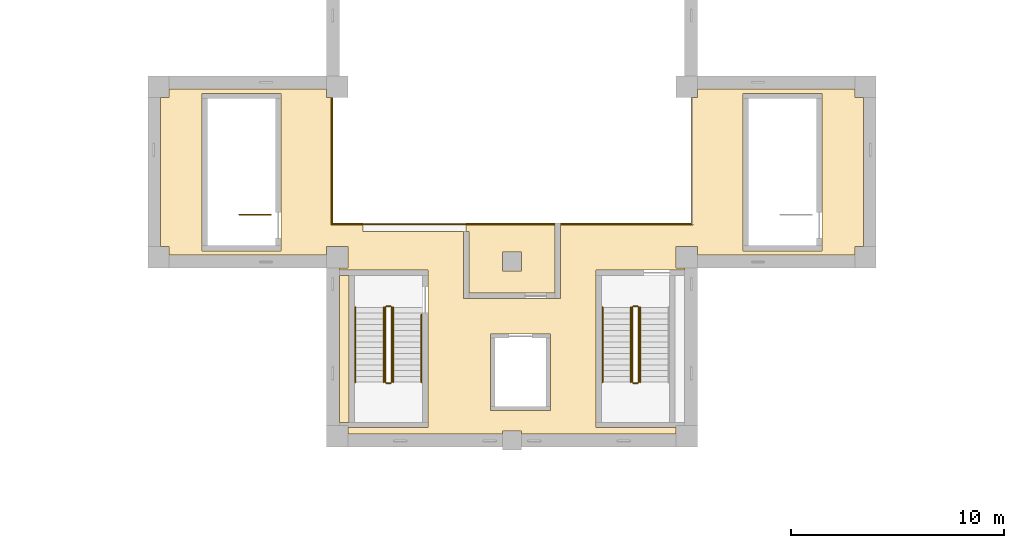
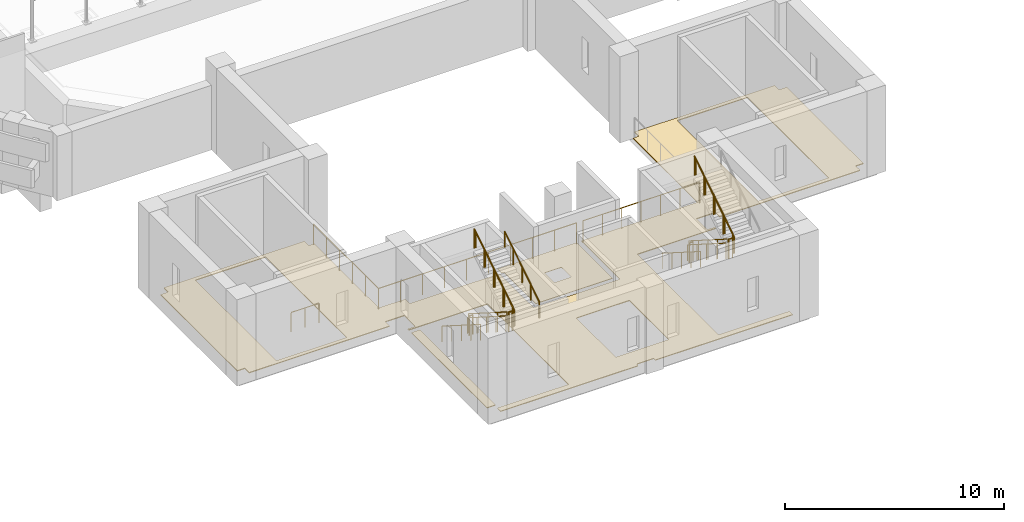
# One storey, part 42 of 47: 18 railings, 3 coverings.
"""IFC4 building model written with IfcOpenShell, lengths in metres."""

from ifc_helpers import new_model, si_unit, direction, frame, origin, origin_2d, place, context, subcontext, project, spatial, polyline, circle, outline, extrude, material, layer, layer_set, type_object, element, save


model = new_model("IFC4")

# Units and contexts
model_context = context("Model", 3, precision=1e-05, world=origin(), true_north=direction((0.0, 1.0)))
body_context = subcontext(model_context, "Body", "Model", "MODEL_VIEW")
ifc_project = project(units=[si_unit("LENGTHUNIT", "METRE"), si_unit("AREAUNIT", "SQUARE_METRE"), si_unit("VOLUMEUNIT", "CUBIC_METRE"), si_unit("PLANEANGLEUNIT", "RADIAN"), si_unit("MASSUNIT", "GRAM", prefix="KILO")], contexts=[model_context])

# Site, building, storey
site_placement = place(None, origin())
site = spatial("IfcSite", under=ifc_project, at=site_placement, CompositionType="ELEMENT")
building_placement = place(site_placement, origin())
building = spatial("IfcBuilding", under=site, at=building_placement, Name="Larchfold Concert Hall", CompositionType="ELEMENT")
storey_placement = place(building_placement, frame((0.0, 0.0, 24.0)))
storey = spatial("IfcBuildingStorey", under=building, at=storey_placement, Name="L05", CompositionType="ELEMENT", Elevation=24.0)

# Coverings
ifc_material_1 = material(Name="Polished terrazzo")
ifc_layer_1 = layer(ifc_material_1, 0.0400390625)
ifc_layer_set_1 = layer_set([ifc_layer_1], Name="Polished terrazzo")
covering_type_1 = type_object("IfcCoveringType", Name="Floor finish terrazzo 40", PredefinedType="FLOORING", material=ifc_layer_set_1)
covering_1_placement = place(storey_placement, origin())
element("IfcCovering", 1, at=covering_1_placement, inside=storey, type_object=covering_type_1, Name="Floor finish Fly Gallery Walkway 01", PredefinedType="FLOORING", context=body_context, shape_type="SweptSolid", body=[
    extrude(outline(polyline([(51.0, 44.39990234375), (44.875, 44.39990234375), (44.875, 40.875), (40.324951171875, 40.875), (40.324951171875, 43.9990234375), (35.60009765625, 43.99951171875), (35.60009765625, 44.39990234375), (34.199951171875, 44.39990234375), (34.199951171875, 50.300048828125), (33.89990234375, 50.300048828125), (33.89990234375, 50.699951171875), (26.5, 50.699951171875), (26.5, 50.300048828125), (26.10009765625, 50.300048828125), (26.10009765625, 43.300048828125), (26.5, 43.300048828125), (26.5, 42.900146484375), (33.89990234375, 42.900146484375), (33.89990234375, 43.300048828125), (34.89990234375, 43.300048828125), (34.89990234375, 42.300048828125), (34.5, 42.300048828125), (34.5, 42.199951171875), (38.64990234375, 42.199951171875), (38.64990234375, 34.800048828125), (34.89990234375, 34.800048828125), (34.89990234375, 34.5), (42.150146484375, 34.5), (42.150146484375, 34.64990234375), (43.050048828125, 34.64990234375), (43.050048828125, 34.5), (50.300048828125, 34.5), (50.300048828125, 34.800048828125), (46.550048828125, 34.800048828125), (46.550048828125, 42.199951171875), (50.699951171875, 42.199951171875), (50.699951171875, 42.300048828125), (50.300048828125, 42.300048828125), (50.300048828125, 43.300048828125), (51.300048828125, 43.300048828125), (51.300048828125, 42.900146484375), (58.699951171875, 42.900146484375), (58.699951171875, 43.300048828125), (59.099853515625, 43.300048828125), (59.099853515625, 50.300048828125), (58.699951171875, 50.300048828125), (58.699951171875, 50.699951171875), (51.300048828125, 50.699951171875), (51.300048828125, 50.300048828125), (51.0, 50.300048828125), (51.0, 44.39990234375)]), holes=[polyline([(53.449951171875, 43.10009765625), (53.449951171875, 50.5), (57.14990234375, 50.5), (57.14990234375, 43.10009765625), (53.449951171875, 43.10009765625)]), polyline([(44.39990234375, 35.60009765625), (41.60009765625, 35.60009765625), (41.60009765625, 39.199951171875), (44.39990234375, 39.199951171875), (44.39990234375, 35.60009765625)]), polyline([(31.75, 50.5), (31.75, 43.10009765625), (28.050048828125, 43.10009765625), (28.050048828125, 50.5), (31.75, 50.5)])]), origin(), (0.0, 0.0, 1.0), 0.0400390625),
])
covering_2_placement = place(storey_placement, origin())
element("IfcCovering", 2, at=covering_2_placement, inside=storey, type_object=covering_type_1, Name="Floor finish Fly Gallery Walkway 01", PredefinedType="FLOORING", context=body_context, shape_type="SweptSolid", body=[
    extrude(outline(polyline([(34.5, 35.050048828125), (34.949951171875, 35.050048828125), (34.949951171875, 41.949951171875), (34.5, 41.949951171875), (34.5, 35.050048828125)])), origin(), (0.0, 0.0, 1.0), 0.0400390625),
])
ifc_material_2 = material(Name="Oak boards on battens")
ifc_layer_2 = layer(ifc_material_2, 0.02490234375)
ifc_layer_set_2 = layer_set([ifc_layer_2], Name="Oak boards on battens")
covering_type_2 = type_object("IfcCoveringType", Name="Floor finish timber boards 25", PredefinedType="FLOORING", material=ifc_layer_set_2)
covering_3_placement = place(storey_placement, origin())
element("IfcCovering", 3, at=covering_3_placement, inside=storey, type_object=covering_type_2, Name="Floor finish Stage Technicians Room", PredefinedType="FLOORING", context=body_context, shape_type="SweptSolid", body=[
    extrude(outline(polyline([(40.449462890625, 44.39990234375), (40.449462890625, 44.01904296875), (40.574951171875, 44.01904296875), (40.574951171875, 41.125), (44.625, 41.125), (44.625, 44.39990234375), (40.449462890625, 44.39990234375)]), holes=[polyline([(42.150146484375, 42.150146484375), (42.150146484375, 43.050048828125), (43.050048828125, 43.050048828125), (43.050048828125, 42.150146484375), (42.150146484375, 42.150146484375)])]), origin(), (0.0, 0.0, 1.0), 0.02490234375),
])

# Railings
ifc_material_3 = material(Name="Stainless steel balustrade", Category="steel")
railing_type_1 = type_object("IfcRailingType", Name="Fly tower guard 1200", PredefinedType="GUARDRAIL", material=ifc_material_3)
railing_1_placement = place(storey_placement, frame((34.139892578125, 50.260009765625, 0.0)))
element("IfcRailing", 4, at=railing_1_placement, inside=storey, type_object=railing_type_1, Name="Guard GR0025", PredefinedType="GUARDRAIL", context=body_context, shape_type="SweptSolid", body=[
    extrude(circle(Radius=0.02392578125, at=origin_2d()), frame((0.0, 0.0, 1.17578125), z_axis=(0.0, -1.0, 0.0), x_axis=(1.0, 0.0, 0.0)), (0.0, 0.0, 1.0), 5.920166015625),
    extrude(circle(Radius=0.02392578125, at=origin_2d()), frame((0.0, -5.920166015625, 1.17578125), z_axis=(1.0, 0.0, 0.0), x_axis=(0.0, 1.0, 0.0)), (0.0, 0.0, 1.0), 10.445068359375),
    extrude(circle(Radius=0.02099609375, at=origin_2d()), origin(), (0.0, 0.0, 1.0), 1.15185546875),
    extrude(circle(Radius=0.02099609375, at=origin_2d()), frame((0.0, -1.18408203125, 0.0)), (0.0, 0.0, 1.0), 1.15185546875),
    extrude(circle(Radius=0.02099609375, at=origin_2d()), frame((0.0, -2.3681640625, 0.0)), (0.0, 0.0, 1.0), 1.15185546875),
    extrude(circle(Radius=0.02099609375, at=origin_2d()), frame((0.0, -3.552001953125, 0.0)), (0.0, 0.0, 1.0), 1.15185546875),
    extrude(circle(Radius=0.02099609375, at=origin_2d()), frame((0.0, -4.736083984375, 0.0)), (0.0, 0.0, 1.0), 1.15185546875),
    extrude(circle(Radius=0.02099609375, at=origin_2d()), frame((0.0, -5.920166015625, 0.0)), (0.0, 0.0, 1.0), 1.15185546875),
    extrude(circle(Radius=0.02099609375, at=origin_2d()), frame((1.16064453125, -5.920166015625, 0.0)), (0.0, 0.0, 1.0), 1.15185546875),
    extrude(circle(Radius=0.02099609375, at=origin_2d()), frame((2.321044921875, -5.920166015625, 0.0)), (0.0, 0.0, 1.0), 1.15185546875),
    extrude(circle(Radius=0.02099609375, at=origin_2d()), frame((3.481689453125, -5.920166015625, 0.0)), (0.0, 0.0, 1.0), 1.15185546875),
    extrude(circle(Radius=0.02099609375, at=origin_2d()), frame((4.642333984375, -5.920166015625, 0.0)), (0.0, 0.0, 1.0), 1.15185546875),
    extrude(circle(Radius=0.02099609375, at=origin_2d()), frame((5.802734375, -5.920166015625, 0.0)), (0.0, 0.0, 1.0), 1.15185546875),
    extrude(circle(Radius=0.02099609375, at=origin_2d()), frame((6.96337890625, -5.920166015625, 0.0)), (0.0, 0.0, 1.0), 1.15185546875),
    extrude(circle(Radius=0.02099609375, at=origin_2d()), frame((8.1240234375, -5.920166015625, 0.0)), (0.0, 0.0, 1.0), 1.15185546875),
    extrude(circle(Radius=0.02099609375, at=origin_2d()), frame((9.284423828125, -5.920166015625, 0.0)), (0.0, 0.0, 1.0), 1.15185546875),
    extrude(circle(Radius=0.02099609375, at=origin_2d()), frame((10.445068359375, -5.920166015625, 0.0)), (0.0, 0.0, 1.0), 1.15185546875),
])
railing_2_placement = place(storey_placement, frame((44.9150390625, 44.33984375, 0.0)))
element("IfcRailing", 5, at=railing_2_placement, inside=storey, type_object=railing_type_1, Name="Guard GR0026", PredefinedType="GUARDRAIL", context=body_context, shape_type="SweptSolid", body=[
    extrude(circle(Radius=0.02392578125, at=origin_2d()), frame((0.0, 0.0, 1.17578125), z_axis=(1.0, 0.0, 0.0), x_axis=(0.0, 1.0, 0.0)), (0.0, 0.0, 1.0), 6.14501953125),
    extrude(circle(Radius=0.02099609375, at=origin_2d()), origin(), (0.0, 0.0, 1.0), 1.15185546875),
    extrude(circle(Radius=0.02099609375, at=origin_2d()), frame((1.024169921875, 0.0, 0.0)), (0.0, 0.0, 1.0), 1.15185546875),
    extrude(circle(Radius=0.02099609375, at=origin_2d()), frame((2.04833984375, 0.0, 0.0)), (0.0, 0.0, 1.0), 1.15185546875),
    extrude(circle(Radius=0.02099609375, at=origin_2d()), frame((3.072509765625, 0.0, 0.0)), (0.0, 0.0, 1.0), 1.15185546875),
    extrude(circle(Radius=0.02099609375, at=origin_2d()), frame((4.0966796875, 0.0, 0.0)), (0.0, 0.0, 1.0), 1.15185546875),
    extrude(circle(Radius=0.02099609375, at=origin_2d()), frame((5.120849609375, 0.0, 0.0)), (0.0, 0.0, 1.0), 1.15185546875),
    extrude(circle(Radius=0.02099609375, at=origin_2d()), frame((6.14501953125, 0.0, 0.0)), (0.0, 0.0, 1.0), 1.15185546875),
])
ifc_material_4 = material(Name="Stainless steel balustrade", Category="steel")
railing_type_2 = type_object("IfcRailingType", Name="Stair guard 1100", PredefinedType="GUARDRAIL", material=ifc_material_4)
railing_3_placement = place(storey_placement, frame((31.27490234375, 44.800048828125, 0.0)))
element("IfcRailing", 6, at=railing_3_placement, inside=storey, type_object=railing_type_2, Name="Guard GR0011", PredefinedType="GUARDRAIL", context=body_context, shape_type="SweptSolid", body=[
    extrude(circle(Radius=0.02392578125, at=origin_2d()), frame((0.0, 0.0, 1.076171875), z_axis=(-1.0, 0.0, 0.0), x_axis=(0.0, -1.0, 0.0)), (0.0, 0.0, 1.0), 1.474853515625),
    extrude(circle(Radius=0.02099609375, at=origin_2d()), origin(), (0.0, 0.0, 1.0), 1.052001953125),
    extrude(circle(Radius=0.02099609375, at=origin_2d()), frame((-0.7373046875, 0.0, 0.0)), (0.0, 0.0, 1.0), 1.052001953125),
    extrude(circle(Radius=0.02099609375, at=origin_2d()), frame((-1.474853515625, 0.0, 0.0)), (0.0, 0.0, 1.0), 1.052001953125),
])
railing_4_placement = place(storey_placement, frame((36.64990234375, 40.449951171875, 0.17138671875)))
element("IfcRailing", 7, at=railing_4_placement, inside=storey, type_object=railing_type_2, Name="Guard GR0013", PredefinedType="GUARDRAIL", context=body_context, shape_type="SweptSolid", body=[
    extrude(circle(Radius=0.02392578125, at=origin_2d()), frame((0.0, 0.0, 1.076171875), z_axis=(0.0, -0.844219563411, 0.53599750816), x_axis=(1.0, 0.0, 0.0)), (0.0, 0.0, 1.0), 4.15771484375),
    extrude(circle(Radius=0.02099609375, at=origin_2d()), origin(), (0.0, 0.0, 1.0), 1.052001953125),
    extrude(circle(Radius=0.02099609375, at=origin_2d()), frame((0.0, -0.87744140625, 0.55712890625)), (0.0, 0.0, 1.0), 1.052001953125),
    extrude(circle(Radius=0.02099609375, at=origin_2d()), frame((0.0, -1.7548828125, 1.1142578125)), (0.0, 0.0, 1.0), 1.052001953125),
    extrude(circle(Radius=0.02099609375, at=origin_2d()), frame((0.0, -2.632568359375, 1.67138671875)), (0.0, 0.0, 1.0), 1.052001953125),
    extrude(circle(Radius=0.02099609375, at=origin_2d()), frame((0.0, -3.510009765625, 2.228515625)), (0.0, 0.0, 1.0), 1.052001953125),
])
railing_5_placement = place(storey_placement, frame((36.699951171875, 36.889892578125, 2.39990234375)))
element("IfcRailing", 8, at=railing_5_placement, inside=storey, type_object=railing_type_2, Name="Guard GR0014", PredefinedType="GUARDRAIL", context=body_context, shape_type="SweptSolid", body=[
    extrude(circle(Radius=0.02392578125, at=origin_2d()), frame((0.0, 0.0, 1.076171875), z_axis=(1.0, 0.0, 0.0), x_axis=(0.0, 1.0, 0.0)), (0.0, 0.0, 1.0), 0.199951171875),
    extrude(circle(Radius=0.02099609375, at=origin_2d()), origin(), (0.0, 0.0, 1.0), 1.052001953125),
    extrude(circle(Radius=0.02099609375, at=origin_2d()), frame((0.199951171875, 0.0, 0.0)), (0.0, 0.0, 1.0), 1.052001953125),
])
railing_6_placement = place(storey_placement, frame((36.949951171875, 36.93994140625, 2.571533203125)))
element("IfcRailing", 9, at=railing_6_placement, inside=storey, type_object=railing_type_2, Name="Guard GR0015", PredefinedType="GUARDRAIL", context=body_context, shape_type="SweptSolid", body=[
    extrude(circle(Radius=0.02392578125, at=origin_2d()), frame((0.0, 0.0, 1.076171875), z_axis=(0.0, 0.844219563411, 0.53599750816), x_axis=(-1.0, 0.0, 0.0)), (0.0, 0.0, 1.0), 4.15771484375),
    extrude(circle(Radius=0.02099609375, at=origin_2d()), origin(), (0.0, 0.0, 1.0), 1.052001953125),
    extrude(circle(Radius=0.02099609375, at=origin_2d()), frame((0.0, 0.87744140625, 0.55712890625)), (0.0, 0.0, 1.0), 1.052001953125),
    extrude(circle(Radius=0.02099609375, at=origin_2d()), frame((0.0, 1.7548828125, 1.1142578125)), (0.0, 0.0, 1.0), 1.052001953125),
    extrude(circle(Radius=0.02099609375, at=origin_2d()), frame((0.0, 2.632568359375, 1.67138671875)), (0.0, 0.0, 1.0), 1.052001953125),
    extrude(circle(Radius=0.02099609375, at=origin_2d()), frame((0.0, 3.510009765625, 2.228515625)), (0.0, 0.0, 1.0), 1.052001953125),
])
railing_7_placement = place(storey_placement, frame((36.699951171875, 40.5, 0.0)))
element("IfcRailing", 10, at=railing_7_placement, inside=storey, type_object=railing_type_2, Name="Guard GR0016", PredefinedType="GUARDRAIL", context=body_context, shape_type="SweptSolid", body=[
    extrude(circle(Radius=0.02392578125, at=origin_2d()), frame((0.0, 0.0, 1.076171875), z_axis=(1.0, 0.0, 0.0), x_axis=(0.0, 1.0, 0.0)), (0.0, 0.0, 1.0), 0.199951171875),
    extrude(circle(Radius=0.02099609375, at=origin_2d()), origin(), (0.0, 0.0, 1.0), 1.052001953125),
    extrude(circle(Radius=0.02099609375, at=origin_2d()), frame((0.199951171875, 0.0, 0.0)), (0.0, 0.0, 1.0), 1.052001953125),
])
railing_8_placement = place(storey_placement, frame((48.25, 40.449951171875, 0.17138671875)))
element("IfcRailing", 11, at=railing_8_placement, inside=storey, type_object=railing_type_2, Name="Guard GR0017", PredefinedType="GUARDRAIL", context=body_context, shape_type="SweptSolid", body=[
    extrude(circle(Radius=0.02392578125, at=origin_2d()), frame((0.0, 0.0, 1.076171875), z_axis=(0.0, -0.844219563411, 0.53599750816), x_axis=(1.0, 0.0, 0.0)), (0.0, 0.0, 1.0), 4.15771484375),
    extrude(circle(Radius=0.02099609375, at=origin_2d()), origin(), (0.0, 0.0, 1.0), 1.052001953125),
    extrude(circle(Radius=0.02099609375, at=origin_2d()), frame((0.0, -0.87744140625, 0.55712890625)), (0.0, 0.0, 1.0), 1.052001953125),
    extrude(circle(Radius=0.02099609375, at=origin_2d()), frame((0.0, -1.7548828125, 1.1142578125)), (0.0, 0.0, 1.0), 1.052001953125),
    extrude(circle(Radius=0.02099609375, at=origin_2d()), frame((0.0, -2.632568359375, 1.67138671875)), (0.0, 0.0, 1.0), 1.052001953125),
    extrude(circle(Radius=0.02099609375, at=origin_2d()), frame((0.0, -3.510009765625, 2.228515625)), (0.0, 0.0, 1.0), 1.052001953125),
])
railing_9_placement = place(storey_placement, frame((48.300048828125, 36.889892578125, 2.39990234375)))
element("IfcRailing", 12, at=railing_9_placement, inside=storey, type_object=railing_type_2, Name="Guard GR0018", PredefinedType="GUARDRAIL", context=body_context, shape_type="SweptSolid", body=[
    extrude(circle(Radius=0.02392578125, at=origin_2d()), frame((0.0, 0.0, 1.076171875), z_axis=(1.0, 0.0, 0.0), x_axis=(0.0, 1.0, 0.0)), (0.0, 0.0, 1.0), 0.199951171875),
    extrude(circle(Radius=0.02099609375, at=origin_2d()), origin(), (0.0, 0.0, 1.0), 1.052001953125),
    extrude(circle(Radius=0.02099609375, at=origin_2d()), frame((0.199951171875, 0.0, 0.0)), (0.0, 0.0, 1.0), 1.052001953125),
])
railing_10_placement = place(storey_placement, frame((48.550048828125, 36.93994140625, 2.571533203125)))
element("IfcRailing", 13, at=railing_10_placement, inside=storey, type_object=railing_type_2, Name="Guard GR0019", PredefinedType="GUARDRAIL", context=body_context, shape_type="SweptSolid", body=[
    extrude(circle(Radius=0.02392578125, at=origin_2d()), frame((0.0, 0.0, 1.076171875), z_axis=(0.0, 0.844219563411, 0.53599750816), x_axis=(-1.0, 0.0, 0.0)), (0.0, 0.0, 1.0), 4.15771484375),
    extrude(circle(Radius=0.02099609375, at=origin_2d()), origin(), (0.0, 0.0, 1.0), 1.052001953125),
    extrude(circle(Radius=0.02099609375, at=origin_2d()), frame((0.0, 0.87744140625, 0.55712890625)), (0.0, 0.0, 1.0), 1.052001953125),
    extrude(circle(Radius=0.02099609375, at=origin_2d()), frame((0.0, 1.7548828125, 1.1142578125)), (0.0, 0.0, 1.0), 1.052001953125),
    extrude(circle(Radius=0.02099609375, at=origin_2d()), frame((0.0, 2.632568359375, 1.67138671875)), (0.0, 0.0, 1.0), 1.052001953125),
    extrude(circle(Radius=0.02099609375, at=origin_2d()), frame((0.0, 3.510009765625, 2.228515625)), (0.0, 0.0, 1.0), 1.052001953125),
])
railing_11_placement = place(storey_placement, frame((48.300048828125, 40.5, 0.0)))
element("IfcRailing", 14, at=railing_11_placement, inside=storey, type_object=railing_type_2, Name="Guard GR0020", PredefinedType="GUARDRAIL", context=body_context, shape_type="SweptSolid", body=[
    extrude(circle(Radius=0.02392578125, at=origin_2d()), frame((0.0, 0.0, 1.076171875), z_axis=(1.0, 0.0, 0.0), x_axis=(0.0, 1.0, 0.0)), (0.0, 0.0, 1.0), 0.199951171875),
    extrude(circle(Radius=0.02099609375, at=origin_2d()), origin(), (0.0, 0.0, 1.0), 1.052001953125),
    extrude(circle(Radius=0.02099609375, at=origin_2d()), frame((0.199951171875, 0.0, 0.0)), (0.0, 0.0, 1.0), 1.052001953125),
])
ifc_material_5 = material(Name="Stainless steel handrail", Category="steel")
railing_type_3 = type_object("IfcRailingType", Name="Stair handrail 900", PredefinedType="HANDRAIL", material=ifc_material_5)
railing_12_placement = place(storey_placement, frame((35.25, 40.449951171875, 0.17138671875)))
element("IfcRailing", 15, at=railing_12_placement, inside=storey, type_object=railing_type_3, Name="Handrail HR0001", PredefinedType="HANDRAIL", context=body_context, shape_type="SweptSolid", body=[
    extrude(circle(Radius=0.02392578125, at=origin_2d()), frame((0.0, 0.0, 0.8759765625), z_axis=(0.0, -0.844219563411, 0.53599750816), x_axis=(1.0, 0.0, 0.0)), (0.0, 0.0, 1.0), 4.15771484375),
    extrude(circle(Radius=0.02099609375, at=origin_2d()), origin(), (0.0, 0.0, 1.0), 0.851806640625),
    extrude(circle(Radius=0.02099609375, at=origin_2d()), frame((0.0, -0.87744140625, 0.55712890625)), (0.0, 0.0, 1.0), 0.851806640625),
    extrude(circle(Radius=0.02099609375, at=origin_2d()), frame((0.0, -1.7548828125, 1.1142578125)), (0.0, 0.0, 1.0), 0.851806640625),
    extrude(circle(Radius=0.02099609375, at=origin_2d()), frame((0.0, -2.632568359375, 1.67138671875)), (0.0, 0.0, 1.0), 0.851806640625),
    extrude(circle(Radius=0.02099609375, at=origin_2d()), frame((0.0, -3.510009765625, 2.228515625)), (0.0, 0.0, 1.0), 0.851806640625),
])
railing_13_placement = place(storey_placement, frame((38.35009765625, 36.93994140625, 2.571533203125)))
element("IfcRailing", 16, at=railing_13_placement, inside=storey, type_object=railing_type_3, Name="Handrail HR0002", PredefinedType="HANDRAIL", context=body_context, shape_type="SweptSolid", body=[
    extrude(circle(Radius=0.02392578125, at=origin_2d()), frame((0.0, 0.0, 0.8759765625), z_axis=(0.0, 0.844224994989, 0.535988953092), x_axis=(-1.0, 0.0, 0.0)), (0.0, 0.0, 1.0), 3.7431640625),
    extrude(circle(Radius=0.02099609375, at=origin_2d()), origin(), (0.0, 0.0, 1.0), 0.851806640625),
    extrude(circle(Radius=0.02099609375, at=origin_2d()), frame((0.0, 0.7900390625, 0.50146484375)), (0.0, 0.0, 1.0), 0.851806640625),
    extrude(circle(Radius=0.02099609375, at=origin_2d()), frame((0.0, 1.580078125, 1.003173828125)), (0.0, 0.0, 1.0), 0.851806640625),
    extrude(circle(Radius=0.02099609375, at=origin_2d()), frame((0.0, 2.3701171875, 1.5048828125)), (0.0, 0.0, 1.0), 0.851806640625),
    extrude(circle(Radius=0.02099609375, at=origin_2d()), frame((0.0, 3.16015625, 2.00634765625)), (0.0, 0.0, 1.0), 0.851806640625),
])
railing_14_placement = place(storey_placement, frame((36.579833984375, 40.449951171875, 0.17138671875)))
element("IfcRailing", 17, at=railing_14_placement, inside=storey, type_object=railing_type_3, Name="Handrail HR0003", PredefinedType="HANDRAIL", context=body_context, shape_type="SweptSolid", body=[
    extrude(circle(Radius=0.02392578125, at=origin_2d()), frame((0.0, 0.0, 0.8759765625), z_axis=(0.0, -0.844219563411, 0.53599750816), x_axis=(1.0, 0.0, 0.0)), (0.0, 0.0, 1.0), 4.15771484375),
    extrude(circle(Radius=0.02099609375, at=origin_2d()), origin(), (0.0, 0.0, 1.0), 0.851806640625),
    extrude(circle(Radius=0.02099609375, at=origin_2d()), frame((0.0, -0.87744140625, 0.55712890625)), (0.0, 0.0, 1.0), 0.851806640625),
    extrude(circle(Radius=0.02099609375, at=origin_2d()), frame((0.0, -1.7548828125, 1.1142578125)), (0.0, 0.0, 1.0), 0.851806640625),
    extrude(circle(Radius=0.02099609375, at=origin_2d()), frame((0.0, -2.632568359375, 1.67138671875)), (0.0, 0.0, 1.0), 0.851806640625),
    extrude(circle(Radius=0.02099609375, at=origin_2d()), frame((0.0, -3.510009765625, 2.228515625)), (0.0, 0.0, 1.0), 0.851806640625),
])
railing_15_placement = place(storey_placement, frame((37.02001953125, 36.93994140625, 2.571533203125)))
element("IfcRailing", 18, at=railing_15_placement, inside=storey, type_object=railing_type_3, Name="Handrail HR0004", PredefinedType="HANDRAIL", context=body_context, shape_type="SweptSolid", body=[
    extrude(circle(Radius=0.02392578125, at=origin_2d()), frame((0.0, 0.0, 0.8759765625), z_axis=(0.0, 0.844219563411, 0.53599750816), x_axis=(-1.0, 0.0, 0.0)), (0.0, 0.0, 1.0), 4.15771484375),
    extrude(circle(Radius=0.02099609375, at=origin_2d()), origin(), (0.0, 0.0, 1.0), 0.851806640625),
    extrude(circle(Radius=0.02099609375, at=origin_2d()), frame((0.0, 0.87744140625, 0.55712890625)), (0.0, 0.0, 1.0), 0.851806640625),
    extrude(circle(Radius=0.02099609375, at=origin_2d()), frame((0.0, 1.7548828125, 1.1142578125)), (0.0, 0.0, 1.0), 0.851806640625),
    extrude(circle(Radius=0.02099609375, at=origin_2d()), frame((0.0, 2.632568359375, 1.67138671875)), (0.0, 0.0, 1.0), 0.851806640625),
    extrude(circle(Radius=0.02099609375, at=origin_2d()), frame((0.0, 3.510009765625, 2.228515625)), (0.0, 0.0, 1.0), 0.851806640625),
])
for number, where, name in (
    (19, (46.85009765625, 40.449951171875, 0.17138671875), "Handrail HR0005"),
    (20, (48.179931640625, 40.449951171875, 0.17138671875), "Handrail HR0007"),
):
    element("IfcRailing", number, at=place(storey_placement, frame(where)), inside=storey, type_object=railing_type_3, Name=name, PredefinedType="HANDRAIL", context=body_context, shape_type="SweptSolid", body=[
        extrude(circle(Radius=0.02392578125, at=origin_2d()), frame((0.0, 0.0, 0.8759765625), z_axis=(0.0, -0.844219563411, 0.53599750816), x_axis=(1.0, 0.0, 0.0)), (0.0, 0.0, 1.0), 4.15771484375),
        extrude(circle(Radius=0.02099609375, at=origin_2d()), origin(), (0.0, 0.0, 1.0), 0.851806640625),
        extrude(circle(Radius=0.02099609375, at=origin_2d()), frame((0.0, -0.87744140625, 0.55712890625)), (0.0, 0.0, 1.0), 0.851806640625),
        extrude(circle(Radius=0.02099609375, at=origin_2d()), frame((0.0, -1.7548828125, 1.1142578125)), (0.0, 0.0, 1.0), 0.851806640625),
        extrude(circle(Radius=0.02099609375, at=origin_2d()), frame((0.0, -2.632568359375, 1.67138671875)), (0.0, 0.0, 1.0), 0.851806640625),
        extrude(circle(Radius=0.02099609375, at=origin_2d()), frame((0.0, -3.510009765625, 2.228515625)), (0.0, 0.0, 1.0), 0.851806640625),
    ])
railing_16_placement = place(storey_placement, frame((48.6201171875, 36.93994140625, 2.571533203125)))
element("IfcRailing", 21, at=railing_16_placement, inside=storey, type_object=railing_type_3, Name="Handrail HR0008", PredefinedType="HANDRAIL", context=body_context, shape_type="SweptSolid", body=[
    extrude(circle(Radius=0.02392578125, at=origin_2d()), frame((0.0, 0.0, 0.8759765625), z_axis=(0.0, 0.844219563411, 0.53599750816), x_axis=(-1.0, 0.0, 0.0)), (0.0, 0.0, 1.0), 4.15771484375),
    extrude(circle(Radius=0.02099609375, at=origin_2d()), origin(), (0.0, 0.0, 1.0), 0.851806640625),
    extrude(circle(Radius=0.02099609375, at=origin_2d()), frame((0.0, 0.87744140625, 0.55712890625)), (0.0, 0.0, 1.0), 0.851806640625),
    extrude(circle(Radius=0.02099609375, at=origin_2d()), frame((0.0, 1.7548828125, 1.1142578125)), (0.0, 0.0, 1.0), 0.851806640625),
    extrude(circle(Radius=0.02099609375, at=origin_2d()), frame((0.0, 2.632568359375, 1.67138671875)), (0.0, 0.0, 1.0), 0.851806640625),
    extrude(circle(Radius=0.02099609375, at=origin_2d()), frame((0.0, 3.510009765625, 2.228515625)), (0.0, 0.0, 1.0), 0.851806640625),
])

save(model, "model.ifc")
